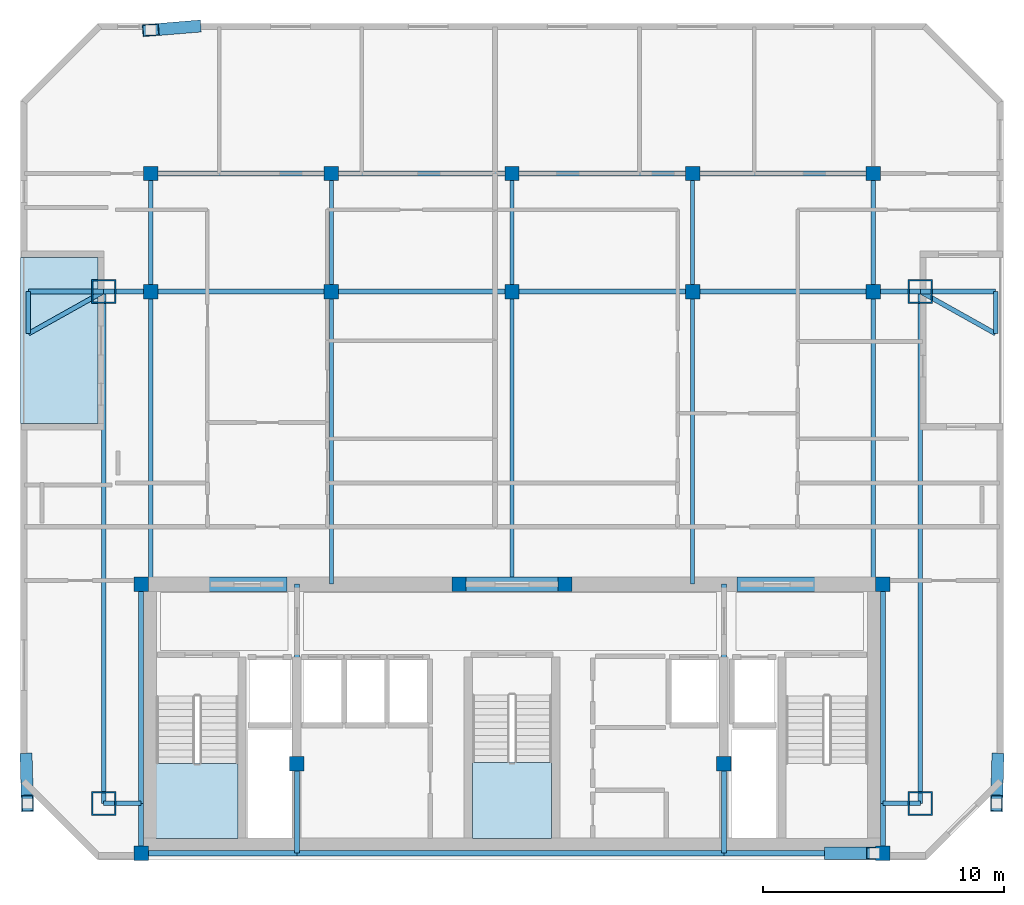
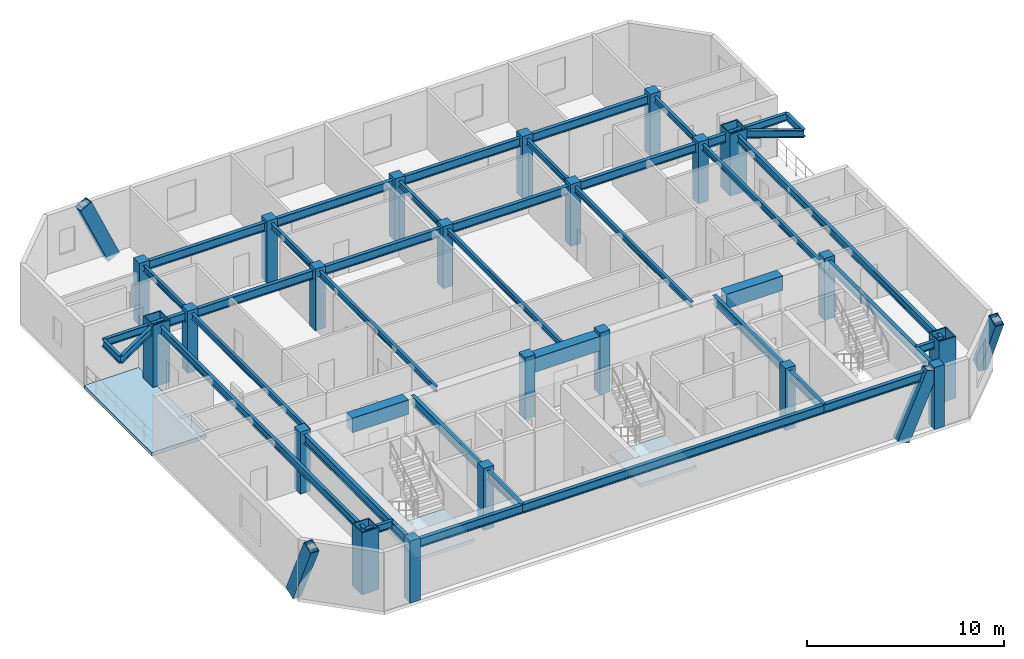
# One storey, part 1 of 7: 44 beams, 22 columns, 4 members, 3 slabs, 2 elements without a shape of their own.
"""IFC4 building model written with IfcOpenShell, lengths in metres."""

from ifc_helpers import new_model, si_unit, direction, frame, origin, origin_2d, place, context, subcontext, project, spatial, polyline, rectangle, hollow_rectangle, i_section, outline, extrude, material, layer, layer_set, material_profile, profile_set, type_object, element, aggregate, save


model = new_model("IFC4")

# Units and contexts
model_context = context("Model", 3, precision=1e-05, world=origin(), true_north=direction((0.0, 1.0)))
body_context = subcontext(model_context, "Body", "Model", "MODEL_VIEW")
ifc_project = project(units=[si_unit("LENGTHUNIT", "METRE"), si_unit("AREAUNIT", "SQUARE_METRE"), si_unit("VOLUMEUNIT", "CUBIC_METRE"), si_unit("PLANEANGLEUNIT", "RADIAN"), si_unit("MASSUNIT", "GRAM", prefix="KILO")], contexts=[model_context])

# Site, building, storey
site_placement = place(None, origin())
site = spatial("IfcSite", under=ifc_project, at=site_placement, CompositionType="ELEMENT")
building_placement = place(site_placement, origin())
building = spatial("IfcBuilding", under=site, at=building_placement, Name="Ventersveld Concourse Tower", CompositionType="ELEMENT")
storey_placement = place(building_placement, frame((0.0, 0.0, 281.050048828125)))
storey = spatial("IfcBuildingStorey", under=building, at=storey_placement, Name="L69", CompositionType="ELEMENT", Elevation=281.050048828125)

# Columns
ifc_material_1 = material(Name="Concrete C50/60", Category="concrete")
ifc_material_profile_1 = material_profile(ifc_material_1, rectangle(XDim=0.60009765625, YDim=0.60009765625, at=origin_2d()), Name="RC 600x600")
ifc_profile_set_1 = profile_set([ifc_material_profile_1], Name="Concrete C50/60")
column_type_1 = type_object("IfcColumnType", Name="COL-RC600", PredefinedType="COLUMN", material=ifc_profile_set_1)
for number, where, z_axis, x_axis, name in (
    (1, (13.35009765625, 0.280029296875, 0.0), (0.0, 0.0, 1.0), (1.0, 0.0, 0.0), "L69 Core Spine Column CC-SW"),
    (2, (44.14990234375, 0.280029296875, 0.0), (0.0, 0.0, 1.0), (1.0, 0.0, 0.0), "L69 Core Spine Column CC-SE"),
    (3, (13.35009765625, 11.449951171875, 0.0), (0.0, 0.0, 1.0), (1.0, 0.0, 0.0), "L69 Core Spine Column CC-NW"),
    (4, (44.14990234375, 11.449951171875, 0.0), (0.0, 0.0, 1.0), (1.0, 0.0, 0.0), "L69 Core Spine Column CC-NE"),
    (5, (19.820068359375, 4.0, 0.0), (0.0, 0.0, 1.0), (1.0, 0.0, 0.0), "L69 Core Spine Column CM-1"),
    (6, (37.550048828125, 4.0, 0.0), (0.0, 0.0, 1.0), (1.0, 0.0, 0.0), "L69 Core Spine Column CM-2"),
    (7, (26.550048828125, 11.449951171875, 0.0), (0.0, 0.0, 1.0), (1.0, 0.0, 0.0), "L69 Core Spine Column CM-3"),
    (8, (30.949951171875, 11.449951171875, 0.0), (0.0, 0.0, 1.0), (1.0, 0.0, 0.0), "L69 Core Spine Column CM-4"),
    (9, (13.75, 23.60009765625, 0.0), (0.0, 0.0, 1.0), (1.0, 0.0, 0.0), "L69 Interior Gravity Column X=13.75 Y=23.60"),
    (10, (21.25, 23.60009765625, 0.0), (0.0, 0.0, 1.0), (1.0, 0.0, 0.0), "L69 Interior Gravity Column X=21.25 Y=23.60"),
    (11, (28.75, 23.60009765625, 0.0), (0.0, 0.0, 1.0), (1.0, 0.0, 0.0), "L69 Interior Gravity Column X=28.75 Y=23.60"),
    (12, (36.25, 23.60009765625, 0.0), (0.0, 0.0, 1.0), (1.0, 0.0, 0.0), "L69 Interior Gravity Column X=36.25 Y=23.60"),
    (13, (43.75, 23.60009765625, 0.0), (0.0, 0.0, 1.0), (1.0, 0.0, 0.0), "L69 Interior Gravity Column X=43.75 Y=23.60"),
    (14, (13.75, 28.5, 0.0), (0.0, 0.0, 1.0), (1.0, 0.0, 0.0), "L69 Upper-North Gravity Column X=13.75 Y=28.50"),
    (15, (21.25, 28.5, 0.0), (0.0, 0.0, 1.0), (1.0, 0.0, 0.0), "L69 Upper-North Gravity Column X=21.25 Y=28.50"),
    (16, (28.75, 28.5, 0.0), (0.0, 0.0, 1.0), (1.0, 0.0, 0.0), "L69 Upper-North Gravity Column X=28.75 Y=28.50"),
    (17, (36.25, 28.5, 0.0), (0.0, 0.0, 1.0), (1.0, 0.0, 0.0), "L69 Upper-North Gravity Column X=36.25 Y=28.50"),
    (18, (43.75, 28.5, 0.0), (0.0, 0.0, 1.0), (1.0, 0.0, 0.0), "L69 Upper-North Gravity Column X=43.75 Y=28.50"),
):
    element("IfcColumn", number, at=place(storey_placement, frame(where, z_axis=z_axis, x_axis=x_axis)), inside=storey, type_object=column_type_1, Name=name, PredefinedType="COLUMN", context=body_context, shape_type="SweptSolid", body=[
        extrude(rectangle(XDim=0.60009765625, YDim=0.60009765625, at=origin_2d()), origin(), (0.0, 0.0, 1.0), 3.849853515625),
    ])
ifc_material_2 = material(Name="Structural steel S460ML", Category="steel")
ifc_material_profile_2 = material_profile(ifc_material_2, hollow_rectangle(XDim=1.0, YDim=1.0, WallThickness=0.06005859375, at=origin_2d()), Name="BOX 1000x1000x60")
ifc_profile_set_2 = profile_set([ifc_material_profile_2], Name="Structural steel S460ML")
column_type_2 = type_object("IfcColumnType", Name="MC-1000", PredefinedType="USERDEFINED", material=ifc_profile_set_2)
for number, where, z_axis, x_axis, name in (
    (19, (11.800048828125, 2.35009765625, 0.0), (0.0, 0.0, 1.0), (1.0, 0.0, 0.0), "L69 Corner Mega-Column MC-SW"),
    (20, (45.699951171875, 2.35009765625, 0.0), (0.0, 0.0, 1.0), (1.0, 0.0, 0.0), "L69 Corner Mega-Column MC-SE"),
    (21, (45.699951171875, 23.60009765625, 0.0), (0.0, 0.0, 1.0), (1.0, 0.0, 0.0), "L69 Corner Mega-Column MC-NE"),
    (22, (11.800048828125, 23.60009765625, 0.0), (0.0, 0.0, 1.0), (1.0, 0.0, 0.0), "L69 Corner Mega-Column MC-NW"),
):
    element("IfcColumn", number, at=place(storey_placement, frame(where, z_axis=z_axis, x_axis=x_axis)), inside=storey, type_object=column_type_2, Name=name, ObjectType="MEGA_COLUMN", PredefinedType="USERDEFINED", context=body_context, shape_type="SweptSolid", body=[
        extrude(hollow_rectangle(XDim=1.0, YDim=1.0, WallThickness=0.06005859375, at=origin_2d()), origin(), (0.0, 0.0, 1.0), 3.849853515625),
    ])

# Beams
ifc_material_3 = material(Name="Structural steel S355J2", Category="steel")
ifc_material_profile_3 = material_profile(ifc_material_3, i_section(OverallWidth=0.17138671875, OverallDepth=0.35498046875, WebThickness=0.00732421875, FlangeThickness=0.011474609375, FilletRadius=0.01025390625, at=origin_2d()), Name="UB 356x171x51")
ifc_profile_set_3 = profile_set([ifc_material_profile_3], Name="Structural steel S355J2")
beam_type_1 = type_object("IfcBeamType", Name="BM-UB356", PredefinedType="BEAM", material=ifc_profile_set_3)
beam_1_placement = place(storey_placement, frame((13.75, 11.449951171875, 3.472412109375), z_axis=(0.0, 1.0, 0.0), x_axis=(-1.0, 0.0, 0.0)))
element("IfcBeam", 23, at=beam_1_placement, inside=storey, type_object=beam_type_1, Name="L69 N-S Composite Floor Beam South X=13.75", PredefinedType="BEAM", context=body_context, shape_type="SweptSolid", body=[
    extrude(i_section(OverallWidth=0.17138671875, OverallDepth=0.35498046875, WebThickness=0.00732421875, FlangeThickness=0.011474609375, FilletRadius=0.01025390625, at=origin_2d()), origin(), (0.0, 0.0, 1.0), 12.150146484375),
])
beam_2_placement = place(storey_placement, frame((13.75, 23.60009765625, 3.472412109375), z_axis=(0.0, 1.0, 0.0), x_axis=(-1.0, 0.0, 0.0)))
element("IfcBeam", 24, at=beam_2_placement, inside=storey, type_object=beam_type_1, Name="L69 N-S Upper-Zone Floor Beam X=13.75", PredefinedType="BEAM", context=body_context, shape_type="SweptSolid", body=[
    extrude(i_section(OverallWidth=0.17138671875, OverallDepth=0.35498046875, WebThickness=0.00732421875, FlangeThickness=0.011474609375, FilletRadius=0.01025390625, at=origin_2d()), origin(), (0.0, 0.0, 1.0), 4.89990234375),
])
beam_3_placement = place(storey_placement, frame((21.25, 11.449951171875, 3.472412109375), z_axis=(0.0, 1.0, 0.0), x_axis=(-1.0, 0.0, 0.0)))
element("IfcBeam", 25, at=beam_3_placement, inside=storey, type_object=beam_type_1, Name="L69 N-S Composite Floor Beam South X=21.25", PredefinedType="BEAM", context=body_context, shape_type="SweptSolid", body=[
    extrude(i_section(OverallWidth=0.17138671875, OverallDepth=0.35498046875, WebThickness=0.00732421875, FlangeThickness=0.011474609375, FilletRadius=0.01025390625, at=origin_2d()), origin(), (0.0, 0.0, 1.0), 12.150146484375),
])
beam_4_placement = place(storey_placement, frame((21.25, 23.60009765625, 3.472412109375), z_axis=(0.0, 1.0, 0.0), x_axis=(-1.0, 0.0, 0.0)))
element("IfcBeam", 26, at=beam_4_placement, inside=storey, type_object=beam_type_1, Name="L69 N-S Upper-Zone Floor Beam X=21.25", PredefinedType="BEAM", context=body_context, shape_type="SweptSolid", body=[
    extrude(i_section(OverallWidth=0.17138671875, OverallDepth=0.35498046875, WebThickness=0.00732421875, FlangeThickness=0.011474609375, FilletRadius=0.01025390625, at=origin_2d()), origin(), (0.0, 0.0, 1.0), 4.89990234375),
])
beam_5_placement = place(storey_placement, frame((28.75, 11.449951171875, 3.472412109375), z_axis=(0.0, 1.0, 0.0), x_axis=(-1.0, 0.0, 0.0)))
element("IfcBeam", 27, at=beam_5_placement, inside=storey, type_object=beam_type_1, Name="L69 N-S Composite Floor Beam South X=28.75", PredefinedType="BEAM", context=body_context, shape_type="SweptSolid", body=[
    extrude(i_section(OverallWidth=0.17138671875, OverallDepth=0.35498046875, WebThickness=0.00732421875, FlangeThickness=0.011474609375, FilletRadius=0.01025390625, at=origin_2d()), origin(), (0.0, 0.0, 1.0), 12.150146484375),
])
beam_6_placement = place(storey_placement, frame((28.75, 23.60009765625, 3.472412109375), z_axis=(0.0, 1.0, 0.0), x_axis=(-1.0, 0.0, 0.0)))
element("IfcBeam", 28, at=beam_6_placement, inside=storey, type_object=beam_type_1, Name="L69 N-S Upper-Zone Floor Beam X=28.75", PredefinedType="BEAM", context=body_context, shape_type="SweptSolid", body=[
    extrude(i_section(OverallWidth=0.17138671875, OverallDepth=0.35498046875, WebThickness=0.00732421875, FlangeThickness=0.011474609375, FilletRadius=0.01025390625, at=origin_2d()), origin(), (0.0, 0.0, 1.0), 4.89990234375),
])
beam_7_placement = place(storey_placement, frame((36.25, 11.449951171875, 3.472412109375), z_axis=(0.0, 1.0, 0.0), x_axis=(-1.0, 0.0, 0.0)))
element("IfcBeam", 29, at=beam_7_placement, inside=storey, type_object=beam_type_1, Name="L69 N-S Composite Floor Beam South X=36.25", PredefinedType="BEAM", context=body_context, shape_type="SweptSolid", body=[
    extrude(i_section(OverallWidth=0.17138671875, OverallDepth=0.35498046875, WebThickness=0.00732421875, FlangeThickness=0.011474609375, FilletRadius=0.01025390625, at=origin_2d()), origin(), (0.0, 0.0, 1.0), 12.150146484375),
])
beam_8_placement = place(storey_placement, frame((36.25, 23.60009765625, 3.472412109375), z_axis=(0.0, 1.0, 0.0), x_axis=(-1.0, 0.0, 0.0)))
element("IfcBeam", 30, at=beam_8_placement, inside=storey, type_object=beam_type_1, Name="L69 N-S Upper-Zone Floor Beam X=36.25", PredefinedType="BEAM", context=body_context, shape_type="SweptSolid", body=[
    extrude(i_section(OverallWidth=0.17138671875, OverallDepth=0.35498046875, WebThickness=0.00732421875, FlangeThickness=0.011474609375, FilletRadius=0.01025390625, at=origin_2d()), origin(), (0.0, 0.0, 1.0), 4.89990234375),
])
beam_9_placement = place(storey_placement, frame((43.75, 11.449951171875, 3.472412109375), z_axis=(0.0, 1.0, 0.0), x_axis=(-1.0, 0.0, 0.0)))
element("IfcBeam", 31, at=beam_9_placement, inside=storey, type_object=beam_type_1, Name="L69 N-S Composite Floor Beam South X=43.75", PredefinedType="BEAM", context=body_context, shape_type="SweptSolid", body=[
    extrude(i_section(OverallWidth=0.17138671875, OverallDepth=0.35498046875, WebThickness=0.00732421875, FlangeThickness=0.011474609375, FilletRadius=0.01025390625, at=origin_2d()), origin(), (0.0, 0.0, 1.0), 12.150146484375),
])
beam_10_placement = place(storey_placement, frame((43.75, 23.60009765625, 3.472412109375), z_axis=(0.0, 1.0, 0.0), x_axis=(-1.0, 0.0, 0.0)))
element("IfcBeam", 32, at=beam_10_placement, inside=storey, type_object=beam_type_1, Name="L69 N-S Upper-Zone Floor Beam X=43.75", PredefinedType="BEAM", context=body_context, shape_type="SweptSolid", body=[
    extrude(i_section(OverallWidth=0.17138671875, OverallDepth=0.35498046875, WebThickness=0.00732421875, FlangeThickness=0.011474609375, FilletRadius=0.01025390625, at=origin_2d()), origin(), (0.0, 0.0, 1.0), 4.89990234375),
])
ifc_material_profile_4 = material_profile(ifc_material_1, rectangle(XDim=0.60009765625, YDim=0.89990234375, at=origin_2d()), Name="RC 600x900")
ifc_profile_set_4 = profile_set([ifc_material_profile_4], Name="Concrete C50/60")
beam_type_2 = type_object("IfcBeamType", Name="CB-RC600x900U", PredefinedType="LINTEL", material=ifc_profile_set_4)
beam_11_placement = place(storey_placement, frame((16.10009765625, 11.449951171875, 3.199951171875), z_axis=(1.0, 0.0, 0.0), x_axis=(0.0, 1.0, 0.0)))
element("IfcBeam", 33, at=beam_11_placement, inside=storey, type_object=beam_type_2, Name="L69 Core Coupling Lintel Beam 1", PredefinedType="LINTEL", context=body_context, shape_type="SweptSolid", body=[
    extrude(rectangle(XDim=0.60009765625, YDim=0.89990234375, at=origin_2d()), origin(), (0.0, 0.0, 1.0), 3.2998046875),
])
beam_12_placement = place(storey_placement, frame((26.5, 11.449951171875, 3.199951171875), z_axis=(1.0, 0.0, 0.0), x_axis=(0.0, 1.0, 0.0)))
element("IfcBeam", 34, at=beam_12_placement, inside=storey, type_object=beam_type_2, Name="L69 Core Coupling Lintel Beam 2", PredefinedType="LINTEL", context=body_context, shape_type="SweptSolid", body=[
    extrude(rectangle(XDim=0.60009765625, YDim=0.89990234375, at=origin_2d()), origin(), (0.0, 0.0, 1.0), 4.5),
])
beam_13_placement = place(storey_placement, frame((38.10009765625, 11.449951171875, 3.199951171875), z_axis=(1.0, 0.0, 0.0), x_axis=(0.0, 1.0, 0.0)))
element("IfcBeam", 35, at=beam_13_placement, inside=storey, type_object=beam_type_2, Name="L69 Core Coupling Lintel Beam 3", PredefinedType="LINTEL", context=body_context, shape_type="SweptSolid", body=[
    extrude(rectangle(XDim=0.60009765625, YDim=0.89990234375, at=origin_2d()), origin(), (0.0, 0.0, 1.0), 3.2998046875),
])
ifc_material_profile_5 = material_profile(ifc_material_3, i_section(OverallWidth=0.209228515625, OverallDepth=0.533203125, WebThickness=0.010009765625, FlangeThickness=0.015625, FilletRadius=0.0126953125, at=origin_2d()), Name="UB 533x210x92")
ifc_profile_set_5 = profile_set([ifc_material_profile_5], Name="Structural steel S355J2")
beam_type_3 = type_object("IfcBeamType", Name="GRD-UB533", PredefinedType="T_BEAM", material=ifc_profile_set_5)
beam_14_placement = place(storey_placement, frame((11.800048828125, 23.60009765625, 3.38330078125), z_axis=(1.0, 0.0, 0.0), x_axis=(0.0, 1.0, 0.0)))
element("IfcBeam", 36, at=beam_14_placement, inside=storey, type_object=beam_type_3, Name="L69 Primary E-W Grid Girder Y=23.60 #1", PredefinedType="T_BEAM", context=body_context, shape_type="SweptSolid", body=[
    extrude(i_section(OverallWidth=0.209228515625, OverallDepth=0.533203125, WebThickness=0.010009765625, FlangeThickness=0.015625, FilletRadius=0.0126953125, at=origin_2d()), origin(), (0.0, 0.0, 1.0), 1.949951171875),
])
for number, where, z_axis, x_axis, name in (
    (37, (13.75, 23.60009765625, 3.38330078125), (1.0, 0.0, 0.0), (0.0, 1.0, 0.0), "L69 Primary E-W Grid Girder Y=23.60 #2"),
    (38, (21.25, 23.60009765625, 3.38330078125), (1.0, 0.0, 0.0), (0.0, 1.0, 0.0), "L69 Primary E-W Grid Girder Y=23.60 #3"),
    (39, (28.75, 23.60009765625, 3.38330078125), (1.0, 0.0, 0.0), (0.0, 1.0, 0.0), "L69 Primary E-W Grid Girder Y=23.60 #4"),
    (40, (36.25, 23.60009765625, 3.38330078125), (1.0, 0.0, 0.0), (0.0, 1.0, 0.0), "L69 Primary E-W Grid Girder Y=23.60 #5"),
):
    element("IfcBeam", number, at=place(storey_placement, frame(where, z_axis=z_axis, x_axis=x_axis)), inside=storey, type_object=beam_type_3, Name=name, PredefinedType="T_BEAM", context=body_context, shape_type="SweptSolid", body=[
        extrude(i_section(OverallWidth=0.209228515625, OverallDepth=0.533203125, WebThickness=0.010009765625, FlangeThickness=0.015625, FilletRadius=0.0126953125, at=origin_2d()), origin(), (0.0, 0.0, 1.0), 7.5),
    ])
beam_15_placement = place(storey_placement, frame((43.75, 23.60009765625, 3.38330078125), z_axis=(1.0, 0.0, 0.0), x_axis=(0.0, 1.0, 0.0)))
element("IfcBeam", 41, at=beam_15_placement, inside=storey, type_object=beam_type_3, Name="L69 Primary E-W Grid Girder Y=23.60 #6", PredefinedType="T_BEAM", context=body_context, shape_type="SweptSolid", body=[
    extrude(i_section(OverallWidth=0.209228515625, OverallDepth=0.533203125, WebThickness=0.010009765625, FlangeThickness=0.015625, FilletRadius=0.0126953125, at=origin_2d()), origin(), (0.0, 0.0, 1.0), 1.949951171875),
])
for number, where, z_axis, x_axis, name in (
    (42, (13.75, 28.5, 3.38330078125), (1.0, 0.0, 0.0), (0.0, 1.0, 0.0), "L69 Upper-North E-W Girder Y=28.50 #1"),
    (43, (21.25, 28.5, 3.38330078125), (1.0, 0.0, 0.0), (0.0, 1.0, 0.0), "L69 Upper-North E-W Girder Y=28.50 #2"),
    (44, (28.75, 28.5, 3.38330078125), (1.0, 0.0, 0.0), (0.0, 1.0, 0.0), "L69 Upper-North E-W Girder Y=28.50 #3"),
    (45, (36.25, 28.5, 3.38330078125), (1.0, 0.0, 0.0), (0.0, 1.0, 0.0), "L69 Upper-North E-W Girder Y=28.50 #4"),
):
    element("IfcBeam", number, at=place(storey_placement, frame(where, z_axis=z_axis, x_axis=x_axis)), inside=storey, type_object=beam_type_3, Name=name, PredefinedType="T_BEAM", context=body_context, shape_type="SweptSolid", body=[
        extrude(i_section(OverallWidth=0.209228515625, OverallDepth=0.533203125, WebThickness=0.010009765625, FlangeThickness=0.015625, FilletRadius=0.0126953125, at=origin_2d()), origin(), (0.0, 0.0, 1.0), 7.5),
    ])
ifc_material_profile_6 = material_profile(ifc_material_3, i_section(OverallWidth=0.2119140625, OverallDepth=0.54443359375, WebThickness=0.0126953125, FlangeThickness=0.021240234375, FilletRadius=0.0126953125, at=origin_2d()), Name="UB 533x210x122")
ifc_profile_set_6 = profile_set([ifc_material_profile_6], Name="Structural steel S355J2")
beam_type_4 = type_object("IfcBeamType", Name="GRD-UB533H", PredefinedType="T_BEAM", material=ifc_profile_set_6)
beam_16_placement = place(storey_placement, frame((13.35009765625, 0.280029296875, 3.377685546875), z_axis=(0.0, 1.0, 0.0), x_axis=(-1.0, 0.0, 0.0)))
element("IfcBeam", 46, at=beam_16_placement, inside=storey, type_object=beam_type_4, Name="L69 Core West Tie Beam S", PredefinedType="T_BEAM", context=body_context, shape_type="SweptSolid", body=[
    extrude(i_section(OverallWidth=0.2119140625, OverallDepth=0.54443359375, WebThickness=0.0126953125, FlangeThickness=0.021240234375, FilletRadius=0.0126953125, at=origin_2d()), origin(), (0.0, 0.0, 1.0), 2.070068359375),
])
beam_17_placement = place(storey_placement, frame((13.35009765625, 2.35009765625, 3.377685546875), z_axis=(0.0, 1.0, 0.0), x_axis=(-1.0, 0.0, 0.0)))
element("IfcBeam", 47, at=beam_17_placement, inside=storey, type_object=beam_type_4, Name="L69 Core West Tie Beam N", PredefinedType="T_BEAM", context=body_context, shape_type="SweptSolid", body=[
    extrude(i_section(OverallWidth=0.2119140625, OverallDepth=0.54443359375, WebThickness=0.0126953125, FlangeThickness=0.021240234375, FilletRadius=0.0126953125, at=origin_2d()), origin(), (0.0, 0.0, 1.0), 9.099853515625),
])
beam_18_placement = place(storey_placement, frame((44.14990234375, 0.280029296875, 3.377685546875), z_axis=(0.0, 1.0, 0.0), x_axis=(-1.0, 0.0, 0.0)))
element("IfcBeam", 48, at=beam_18_placement, inside=storey, type_object=beam_type_4, Name="L69 Core East Tie Beam S", PredefinedType="T_BEAM", context=body_context, shape_type="SweptSolid", body=[
    extrude(i_section(OverallWidth=0.2119140625, OverallDepth=0.54443359375, WebThickness=0.0126953125, FlangeThickness=0.021240234375, FilletRadius=0.0126953125, at=origin_2d()), origin(), (0.0, 0.0, 1.0), 2.070068359375),
])
beam_19_placement = place(storey_placement, frame((44.14990234375, 2.35009765625, 3.377685546875), z_axis=(0.0, 1.0, 0.0), x_axis=(-1.0, 0.0, 0.0)))
element("IfcBeam", 49, at=beam_19_placement, inside=storey, type_object=beam_type_4, Name="L69 Core East Tie Beam N", PredefinedType="T_BEAM", context=body_context, shape_type="SweptSolid", body=[
    extrude(i_section(OverallWidth=0.2119140625, OverallDepth=0.54443359375, WebThickness=0.0126953125, FlangeThickness=0.021240234375, FilletRadius=0.0126953125, at=origin_2d()), origin(), (0.0, 0.0, 1.0), 9.099853515625),
])
beam_20_placement = place(storey_placement, frame((13.35009765625, 0.280029296875, 3.377685546875), z_axis=(1.0, 0.0, 0.0), x_axis=(0.0, 1.0, 0.0)))
element("IfcBeam", 50, at=beam_20_placement, inside=storey, type_object=beam_type_4, Name="L69 Core South Tie Beam W", PredefinedType="T_BEAM", context=body_context, shape_type="SweptSolid", body=[
    extrude(i_section(OverallWidth=0.2119140625, OverallDepth=0.54443359375, WebThickness=0.0126953125, FlangeThickness=0.021240234375, FilletRadius=0.0126953125, at=origin_2d()), origin(), (0.0, 0.0, 1.0), 6.469970703125),
])
beam_21_placement = place(storey_placement, frame((19.820068359375, 0.280029296875, 3.377685546875), z_axis=(1.0, 0.0, 0.0), x_axis=(0.0, 1.0, 0.0)))
element("IfcBeam", 51, at=beam_21_placement, inside=storey, type_object=beam_type_4, Name="L69 Core South Tie Beam C", PredefinedType="T_BEAM", context=body_context, shape_type="SweptSolid", body=[
    extrude(i_section(OverallWidth=0.2119140625, OverallDepth=0.54443359375, WebThickness=0.0126953125, FlangeThickness=0.021240234375, FilletRadius=0.0126953125, at=origin_2d()), origin(), (0.0, 0.0, 1.0), 17.72998046875),
])
beam_22_placement = place(storey_placement, frame((37.550048828125, 0.280029296875, 3.377685546875), z_axis=(1.0, 0.0, 0.0), x_axis=(0.0, 1.0, 0.0)))
element("IfcBeam", 52, at=beam_22_placement, inside=storey, type_object=beam_type_4, Name="L69 Core South Tie Beam E", PredefinedType="T_BEAM", context=body_context, shape_type="SweptSolid", body=[
    extrude(i_section(OverallWidth=0.2119140625, OverallDepth=0.54443359375, WebThickness=0.0126953125, FlangeThickness=0.021240234375, FilletRadius=0.0126953125, at=origin_2d()), origin(), (0.0, 0.0, 1.0), 6.599853515625),
])
beam_23_placement = place(storey_placement, frame((19.820068359375, 0.280029296875, 3.377685546875), z_axis=(0.0, 1.0, 0.0), x_axis=(-1.0, 0.0, 0.0)))
element("IfcBeam", 53, at=beam_23_placement, inside=storey, type_object=beam_type_4, Name="L69 Core Spine N-S Tie Beam W1", PredefinedType="T_BEAM", context=body_context, shape_type="SweptSolid", body=[
    extrude(i_section(OverallWidth=0.2119140625, OverallDepth=0.54443359375, WebThickness=0.0126953125, FlangeThickness=0.021240234375, FilletRadius=0.0126953125, at=origin_2d()), origin(), (0.0, 0.0, 1.0), 3.719970703125),
])
beam_24_placement = place(storey_placement, frame((19.820068359375, 4.0, 3.377685546875), z_axis=(0.0, 1.0, 0.0), x_axis=(-1.0, 0.0, 0.0)))
element("IfcBeam", 54, at=beam_24_placement, inside=storey, type_object=beam_type_4, Name="L69 Core Spine N-S Tie Beam W2", PredefinedType="T_BEAM", context=body_context, shape_type="SweptSolid", body=[
    extrude(i_section(OverallWidth=0.2119140625, OverallDepth=0.54443359375, WebThickness=0.0126953125, FlangeThickness=0.021240234375, FilletRadius=0.0126953125, at=origin_2d()), origin(), (0.0, 0.0, 1.0), 7.449951171875),
])
beam_25_placement = place(storey_placement, frame((37.550048828125, 0.280029296875, 3.377685546875), z_axis=(0.0, 1.0, 0.0), x_axis=(-1.0, 0.0, 0.0)))
element("IfcBeam", 55, at=beam_25_placement, inside=storey, type_object=beam_type_4, Name="L69 Core Spine N-S Tie Beam E1", PredefinedType="T_BEAM", context=body_context, shape_type="SweptSolid", body=[
    extrude(i_section(OverallWidth=0.2119140625, OverallDepth=0.54443359375, WebThickness=0.0126953125, FlangeThickness=0.021240234375, FilletRadius=0.0126953125, at=origin_2d()), origin(), (0.0, 0.0, 1.0), 3.719970703125),
])
beam_26_placement = place(storey_placement, frame((37.550048828125, 4.0, 3.377685546875), z_axis=(0.0, 1.0, 0.0), x_axis=(-1.0, 0.0, 0.0)))
element("IfcBeam", 56, at=beam_26_placement, inside=storey, type_object=beam_type_4, Name="L69 Core Spine N-S Tie Beam E2", PredefinedType="T_BEAM", context=body_context, shape_type="SweptSolid", body=[
    extrude(i_section(OverallWidth=0.2119140625, OverallDepth=0.54443359375, WebThickness=0.0126953125, FlangeThickness=0.021240234375, FilletRadius=0.0126953125, at=origin_2d()), origin(), (0.0, 0.0, 1.0), 7.449951171875),
])

# Members
ifc_material_4 = material(Name="Structural steel S355ML", Category="steel")
ifc_material_profile_7 = material_profile(ifc_material_4, hollow_rectangle(XDim=0.5, YDim=0.75, WallThickness=0.034912109375, at=origin_2d()), Name="BOX 750x500x35")
ifc_profile_set_7 = profile_set([ifc_material_profile_7], Name="Structural steel S355ML")
member_type = type_object("IfcMemberType", Name="MB-750x500", PredefinedType="BRACE", material=ifc_profile_set_7)
member_1_placement = place(storey_placement, frame((15.489501953125, 34.595703125, -0.199951171875), z_axis=(-0.411518778982, -0.033903371686, 0.910770473793), x_axis=(0.082107785018, -0.996623455293, 0.0)))
element("IfcMember", 57, at=member_1_placement, inside=storey, type_object=member_type, Name="L69 Exterior Mega-Brace N (Module M16)", PredefinedType="BRACE", context=body_context, shape_type="SweptSolid", body=[
    extrude(hollow_rectangle(XDim=0.5, YDim=0.75, WallThickness=0.034912109375, at=origin_2d()), origin(), (0.0, 0.0, 1.0), 4.22705078125),
])
member_2_placement = place(storey_placement, frame((42.060546875, 0.280029296875, -0.199951171875), z_axis=(0.411755490853, 0.0, 0.911294362844), x_axis=(0.0, 1.0, 0.0)))
element("IfcMember", 58, at=member_2_placement, inside=storey, type_object=member_type, Name="L69 Exterior Mega-Brace S (Module M16)", PredefinedType="BRACE", context=body_context, shape_type="SweptSolid", body=[
    extrude(hollow_rectangle(XDim=0.5, YDim=0.75, WallThickness=0.034912109375, at=origin_2d()), origin(), (0.0, 0.0, 1.0), 4.224609375),
])
for number, where, z_axis, x_axis, name in (
    (59, (8.58349609375, 4.089599609375, -0.199951171875), (0.011730612407, -0.411727159605, 0.911231660324), (0.999594371896, 0.028479671227, 0.0), "L69 Exterior Mega-Brace W (Module M16)"),
    (60, (48.91650390625, 4.089599609375, -0.199951171875), (-0.011730612407, -0.411727159605, 0.911231660324), (0.999594371896, -0.028479671227, 0.0), "L69 Exterior Mega-Brace E (Module M16)"),
):
    element("IfcMember", number, at=place(storey_placement, frame(where, z_axis=z_axis, x_axis=x_axis)), inside=storey, type_object=member_type, Name=name, PredefinedType="BRACE", context=body_context, shape_type="SweptSolid", body=[
        extrude(hollow_rectangle(XDim=0.5, YDim=0.75, WallThickness=0.034912109375, at=origin_2d()), origin(), (0.0, 0.0, 1.0), 4.224853515625),
    ])

# Beams
ifc_material_profile_8 = material_profile(ifc_material_3, i_section(OverallWidth=0.19140625, OverallDepth=0.4599609375, WebThickness=0.010009765625, FlangeThickness=0.01611328125, FilletRadius=0.01025390625, at=origin_2d()), Name="UB 457x191x82")
ifc_profile_set_8 = profile_set([ifc_material_profile_8], Name="Structural steel S355J2")
beam_type_5 = type_object("IfcBeamType", Name="SPD-UB457", PredefinedType="SPANDREL", material=ifc_profile_set_8)
for number, where, z_axis, x_axis, name in (
    (61, (11.800048828125, 2.35009765625, 3.419921875), (1.0, 0.0, 0.0), (0.0, 1.0, 0.0), "L69 SW Spandrel Beam"),
    (62, (44.14990234375, 2.35009765625, 3.419921875), (1.0, 0.0, 0.0), (0.0, 1.0, 0.0), "L69 SE Spandrel Beam"),
):
    element("IfcBeam", number, at=place(storey_placement, frame(where, z_axis=z_axis, x_axis=x_axis)), inside=storey, type_object=beam_type_5, Name=name, PredefinedType="SPANDREL", context=body_context, shape_type="SweptSolid", body=[
        extrude(i_section(OverallWidth=0.19140625, OverallDepth=0.4599609375, WebThickness=0.010009765625, FlangeThickness=0.01611328125, FilletRadius=0.01025390625, at=origin_2d()), origin(), (0.0, 0.0, 1.0), 1.550048828125),
    ])
for number, where, z_axis, x_axis, name in (
    (63, (11.800048828125, 2.35009765625, 3.419921875), (0.0, 1.0, 0.0), (-1.0, 0.0, 0.0), "L69 West Spandrel Beam"),
    (64, (45.699951171875, 2.35009765625, 3.419921875), (0.0, 1.0, 0.0), (-1.0, 0.0, 0.0), "L69 East Spandrel Beam"),
):
    element("IfcBeam", number, at=place(storey_placement, frame(where, z_axis=z_axis, x_axis=x_axis)), inside=storey, type_object=beam_type_5, Name=name, PredefinedType="SPANDREL", context=body_context, shape_type="SweptSolid", body=[
        extrude(i_section(OverallWidth=0.19140625, OverallDepth=0.4599609375, WebThickness=0.010009765625, FlangeThickness=0.01611328125, FilletRadius=0.01025390625, at=origin_2d()), origin(), (0.0, 0.0, 1.0), 21.25),
    ])
beam_27_placement = place(storey_placement, frame((8.67431640625, 23.60009765625, 3.419921875), z_axis=(1.0, 0.0, 0.0), x_axis=(0.0, 1.0, 0.0)))
element("IfcBeam", 65, at=beam_27_placement, inside=storey, type_object=beam_type_5, Name="L69 West Valley Bracket S", PredefinedType="SPANDREL", context=body_context, shape_type="SweptSolid", body=[
    extrude(i_section(OverallWidth=0.19140625, OverallDepth=0.4599609375, WebThickness=0.010009765625, FlangeThickness=0.01611328125, FilletRadius=0.01025390625, at=origin_2d()), origin(), (0.0, 0.0, 1.0), 3.125732421875),
])
beam_28_placement = place(storey_placement, frame((8.67431640625, 21.85009765625, 3.419921875), z_axis=(0.872554822308, 0.488516204507, 0.0), x_axis=(-0.488516204507, 0.872554822308, 0.0)))
element("IfcBeam", 66, at=beam_28_placement, inside=storey, type_object=beam_type_5, Name="L69 West Valley Diagonal Bracket", PredefinedType="SPANDREL", context=body_context, shape_type="SweptSolid", body=[
    extrude(i_section(OverallWidth=0.19140625, OverallDepth=0.4599609375, WebThickness=0.010009765625, FlangeThickness=0.01611328125, FilletRadius=0.01025390625, at=origin_2d()), origin(), (0.0, 0.0, 1.0), 3.582275390625),
])
beam_29_placement = place(storey_placement, frame((8.67431640625, 21.85009765625, 3.419921875), z_axis=(0.0, 1.0, 0.0), x_axis=(-1.0, 0.0, 0.0)))
element("IfcBeam", 67, at=beam_29_placement, inside=storey, type_object=beam_type_5, Name="L69 West Valley Edge Beam", PredefinedType="SPANDREL", context=body_context, shape_type="SweptSolid", body=[
    extrude(i_section(OverallWidth=0.19140625, OverallDepth=0.4599609375, WebThickness=0.010009765625, FlangeThickness=0.01611328125, FilletRadius=0.01025390625, at=origin_2d()), origin(), (0.0, 0.0, 1.0), 1.75),
])
beam_30_placement = place(storey_placement, frame((45.699951171875, 23.60009765625, 3.419921875), z_axis=(1.0, 0.0, 0.0), x_axis=(0.0, 1.0, 0.0)))
element("IfcBeam", 68, at=beam_30_placement, inside=storey, type_object=beam_type_5, Name="L69 East Valley Bracket S", PredefinedType="SPANDREL", context=body_context, shape_type="SweptSolid", body=[
    extrude(i_section(OverallWidth=0.19140625, OverallDepth=0.4599609375, WebThickness=0.010009765625, FlangeThickness=0.01611328125, FilletRadius=0.01025390625, at=origin_2d()), origin(), (0.0, 0.0, 1.0), 3.125732421875),
])
beam_31_placement = place(storey_placement, frame((45.699951171875, 23.60009765625, 3.419921875), z_axis=(0.872554822308, -0.488516204507, 0.0), x_axis=(0.488516204507, 0.872554822308, 0.0)))
element("IfcBeam", 69, at=beam_31_placement, inside=storey, type_object=beam_type_5, Name="L69 East Valley Diagonal Bracket", PredefinedType="SPANDREL", context=body_context, shape_type="SweptSolid", body=[
    extrude(i_section(OverallWidth=0.19140625, OverallDepth=0.4599609375, WebThickness=0.010009765625, FlangeThickness=0.01611328125, FilletRadius=0.01025390625, at=origin_2d()), origin(), (0.0, 0.0, 1.0), 3.582275390625),
])
beam_32_placement = place(storey_placement, frame((48.82568359375, 21.85009765625, 3.419921875), z_axis=(0.0, 1.0, 0.0), x_axis=(-1.0, 0.0, 0.0)))
element("IfcBeam", 70, at=beam_32_placement, inside=storey, type_object=beam_type_5, Name="L69 East Valley Edge Beam", PredefinedType="SPANDREL", context=body_context, shape_type="SweptSolid", body=[
    extrude(i_section(OverallWidth=0.19140625, OverallDepth=0.4599609375, WebThickness=0.010009765625, FlangeThickness=0.01611328125, FilletRadius=0.01025390625, at=origin_2d()), origin(), (0.0, 0.0, 1.0), 1.75),
])

# Slab
ifc_layer_1 = layer(ifc_material_1, 0.199951171875)
ifc_layer_set_1 = layer_set([ifc_layer_1], Name="Concrete C50/60")
slab_type_1 = type_object("IfcSlabType", Name="SL-FLR-200", PredefinedType="FLOOR", material=ifc_layer_set_1)
slab_1_placement = place(storey_placement, frame((0.0, 0.0, -0.199951171875)))
element("IfcSlab", 71, at=slab_1_placement, inside=storey, type_object=slab_type_1, Name="L69 Outdoor Terrace Slab NOTCH-W", PredefinedType="FLOOR", context=body_context, shape_type="SweptSolid", body=[
    extrude(outline(polyline([(8.35302734375, 18.1162109375), (11.552978515625, 18.1162109375), (11.552978515625, 25.016357421875), (8.35302734375, 25.016357421875), (8.35302734375, 18.1162109375)])), origin(), (0.0, 0.0, 1.0), 0.199951171875),
])

# Stair, slab
stair_type_1 = type_object("IfcStairType", Name="ST-DOG-160", PredefinedType="HALF_TURN_STAIR", material=ifc_material_1)
stair_1_placement = place(storey_placement, origin())
stair_1 = element("IfcStair", 72, at=stair_1_placement, inside=storey, type_object=stair_type_1, Name="L69 Protected Tower Escape Stair ST-01", PredefinedType="HALF_TURN_STAIR")
ifc_layer_2 = layer(ifc_material_1, 0.199951171875)
ifc_layer_set_2 = layer_set([ifc_layer_2], Name="Concrete C50/60")
slab_type_2 = type_object("IfcSlabType", Name="SL-LND-200", PredefinedType="LANDING", material=ifc_layer_set_2)
slab_2_placement = place(storey_placement, frame((0.0, 0.0, 1.724853515625)))
slab_2 = element("IfcSlab", 73, at=slab_2_placement, type_object=slab_type_2, Name="ST-01 landing 1", PredefinedType="LANDING", context=body_context, shape_type="SweptSolid", body=[
    extrude(outline(polyline([(13.97998046875, 4.0), (13.97998046875, 0.89990234375), (17.3798828125, 0.89990234375), (17.3798828125, 4.0), (13.97998046875, 4.0)])), origin(), (0.0, 0.0, 1.0), 0.2001953125),
])
aggregate(stair_1, [slab_2])

stair_type_2 = type_object("IfcStairType", Name="ST-DOG-155", PredefinedType="HALF_TURN_STAIR", material=ifc_material_1)
stair_2_placement = place(storey_placement, origin())
stair_2 = element("IfcStair", 74, at=stair_2_placement, inside=storey, type_object=stair_type_2, Name="L69 Protected Central Core Escape Stair ST-03", PredefinedType="HALF_TURN_STAIR")
slab_3_placement = place(storey_placement, frame((0.0, 0.0, 1.724853515625)))
slab_3 = element("IfcSlab", 75, at=slab_3_placement, type_object=slab_type_2, Name="ST-03 landing 1", PredefinedType="LANDING", context=body_context, shape_type="SweptSolid", body=[
    extrude(outline(polyline([(27.10009765625, 4.050048828125), (27.10009765625, 0.89990234375), (30.39990234375, 0.89990234375), (30.39990234375, 4.050048828125), (27.10009765625, 4.050048828125)])), origin(), (0.0, 0.0, 1.0), 0.2001953125),
])
aggregate(stair_2, [slab_3])

save(model, "model.ifc")
